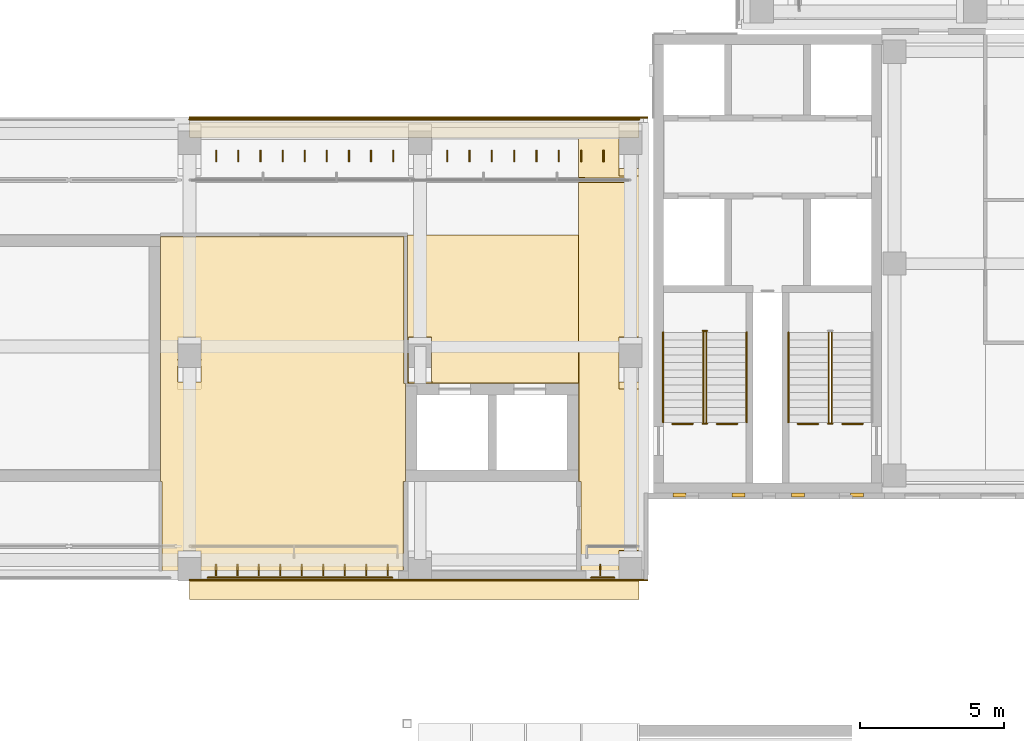
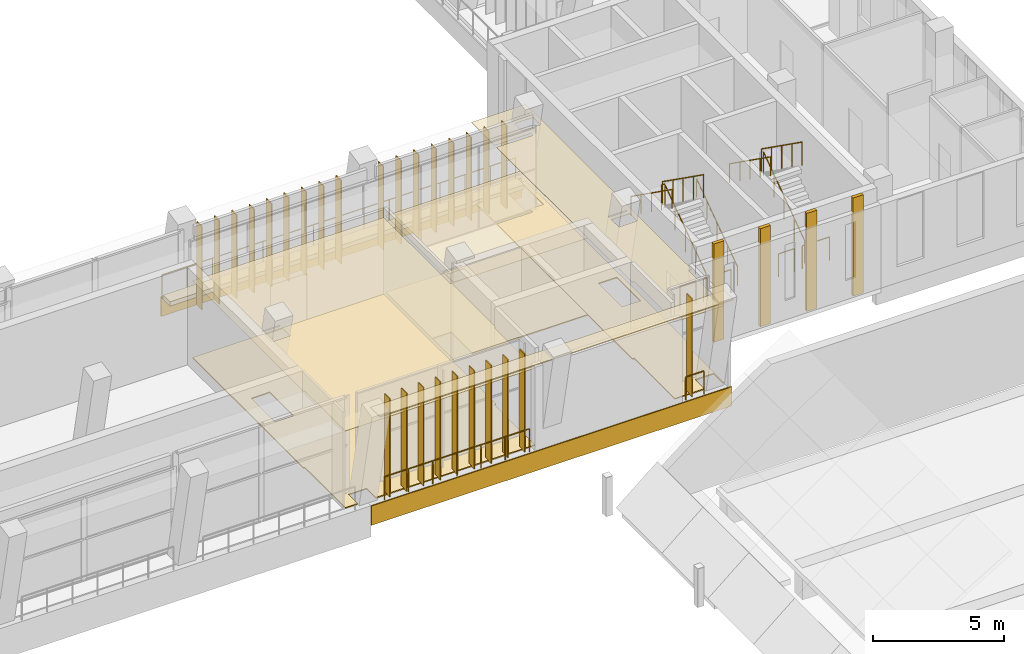
# One storey, part 73 of 89: 27 shading devices, 17 railings, 14 coverings.
"""IFC4 building model written with IfcOpenShell, lengths in metres."""

from ifc_helpers import new_model, si_unit, direction, frame, frame_2d, origin, origin_2d, place, context, subcontext, project, spatial, polyline, rectangle, circle, outline, extrude, material, layer, layer_set, type_object, element, save


model = new_model("IFC4")

# Units and contexts
model_context = context("Model", 3, precision=1e-05, world=origin(), true_north=direction((0.0, 1.0)))
body_context = subcontext(model_context, "Body", "Model", "MODEL_VIEW")
ifc_project = project(units=[si_unit("LENGTHUNIT", "METRE"), si_unit("AREAUNIT", "SQUARE_METRE"), si_unit("VOLUMEUNIT", "CUBIC_METRE"), si_unit("PLANEANGLEUNIT", "RADIAN"), si_unit("MASSUNIT", "GRAM", prefix="KILO")], contexts=[model_context])

# Site, building, storey
site_placement = place(None, origin())
site = spatial("IfcSite", under=ifc_project, at=site_placement, CompositionType="ELEMENT")
building_placement = place(site_placement, origin())
building = spatial("IfcBuilding", under=site, at=building_placement, Name="Lantern Court Media Centre", CompositionType="ELEMENT")
storey_placement = place(building_placement, frame((0.0, 0.0, 14.39990234375)))
storey = spatial("IfcBuildingStorey", under=building, at=storey_placement, Name="L03", CompositionType="ELEMENT", Elevation=14.39990234375)

# Covering
ifc_material_1 = material(Name="Carpet")
ifc_layer_1 = layer(ifc_material_1, 0.050048828125)
ifc_layer_set_1 = layer_set([ifc_layer_1], Name="Carpet")
covering_type_1 = type_object("IfcCoveringType", Name="Carpet floor finish", PredefinedType="FLOORING", material=ifc_layer_set_1)
covering_1_placement = place(storey_placement, origin())
element("IfcCovering", 1, at=covering_1_placement, inside=storey, type_object=covering_type_1, Name="Media Library Reading Room 04 floor finish", PredefinedType="FLOORING", context=body_context, shape_type="SweptSolid", body=[
    extrude(outline(polyline([(63.054931640625, 45.300048828125), (63.054931640625, 48.39990234375), (63.0048828125, 48.405029296875), (63.0048828125, 56.882568359375), (71.4326171875, 56.882568359375), (71.4326171875, 51.800048828125), (71.4951171875, 51.794921875), (71.4951171875, 48.405029296875), (71.4150390625, 48.39990234375), (71.4150390625, 45.304931640625), (64.405029296875, 45.300048828125), (64.403076171875, 46.00390625), (63.60009765625, 46.0048828125), (63.594970703125, 45.300048828125), (63.054931640625, 45.300048828125)]), holes=[polyline([(63.594970703125, 51.60009765625), (64.404541015625, 51.59814453125), (64.40185546875, 53.404541015625), (63.595458984375, 53.40185546875), (63.594970703125, 51.60009765625)])]), origin(), (0.0, 0.0, 1.0), 0.050048828125),
])

# Railings
ifc_material_2 = material(Name="Powder-coated steel", Category="steel")
railing_type_1 = type_object("IfcRailingType", Name="Floor edge guard 1100", PredefinedType="GUARDRAIL", material=ifc_material_2)
railing_1_placement = place(storey_placement, frame((87.35009765625, 50.390380859375, 0.0)))
element("IfcRailing", 2, at=railing_1_placement, inside=storey, type_object=railing_type_1, Name="L03 opening guard 87", PredefinedType="GUARDRAIL", context=body_context, shape_type="SweptSolid", body=[
    extrude(circle(Radius=0.02392578125, at=origin_2d()), frame((0.0, 0.0, 1.076171875), z_axis=(-1.0, 0.0, 0.0), x_axis=(0.0, -1.0, 0.0)), (0.0, 0.0, 1.0), 0.703857421875),
    extrude(circle(Radius=0.02099609375, at=origin_2d()), origin(), (0.0, 0.0, 1.0), 1.052001953125),
    extrude(circle(Radius=0.02099609375, at=origin_2d()), frame((-0.703857421875, 0.0, 0.0)), (0.0, 0.0, 1.0), 1.052001953125),
])
for number, where, name in (
    (3, (85.8037109375, 50.390380859375, 0.0), "L03 opening guard 88"),
    (4, (83.0, 50.390380859375, 0.0), "L03 opening guard 89"),
    (5, (81.45361328125, 50.390380859375, 0.0), "L03 opening guard 90"),
):
    element("IfcRailing", number, at=place(storey_placement, frame(where)), inside=storey, type_object=railing_type_1, Name=name, PredefinedType="GUARDRAIL", context=body_context, shape_type="SweptSolid", body=[
        extrude(circle(Radius=0.02392578125, at=origin_2d()), frame((0.0, 0.0, 1.076171875), z_axis=(-1.0, 0.0, 0.0), x_axis=(0.0, -1.0, 0.0)), (0.0, 0.0, 1.0), 0.70361328125),
        extrude(circle(Radius=0.02099609375, at=origin_2d()), origin(), (0.0, 0.0, 1.0), 1.052001953125),
        extrude(circle(Radius=0.02099609375, at=origin_2d()), frame((-0.70361328125, 0.0, 0.0)), (0.0, 0.0, 1.0), 1.052001953125),
    ])
railing_2_placement = place(storey_placement, frame((71.033935546875, 45.06005859375, 0.0)))
element("IfcRailing", 6, at=railing_2_placement, inside=storey, type_object=railing_type_1, Name="L03 edge guard 94", PredefinedType="GUARDRAIL", context=body_context, shape_type="SweptSolid", body=[
    extrude(circle(Radius=0.02392578125, at=origin_2d()), frame((0.0, 0.0, 1.076171875), z_axis=(-1.0, 0.0, 0.0), x_axis=(0.0, -1.0, 0.0)), (0.0, 0.0, 1.0), 6.39697265625),
    extrude(circle(Radius=0.02099609375, at=origin_2d()), origin(), (0.0, 0.0, 1.0), 1.052001953125),
    extrude(circle(Radius=0.02099609375, at=origin_2d()), frame((-1.066162109375, 0.0, 0.0)), (0.0, 0.0, 1.0), 1.052001953125),
    extrude(circle(Radius=0.02099609375, at=origin_2d()), frame((-2.13232421875, 0.0, 0.0)), (0.0, 0.0, 1.0), 1.052001953125),
    extrude(circle(Radius=0.02099609375, at=origin_2d()), frame((-3.198486328125, 0.0, 0.0)), (0.0, 0.0, 1.0), 1.052001953125),
    extrude(circle(Radius=0.02099609375, at=origin_2d()), frame((-4.2646484375, 0.0, 0.0)), (0.0, 0.0, 1.0), 1.052001953125),
    extrude(circle(Radius=0.02099609375, at=origin_2d()), frame((-5.330810546875, 0.0, 0.0)), (0.0, 0.0, 1.0), 1.052001953125),
    extrude(circle(Radius=0.02099609375, at=origin_2d()), frame((-6.39697265625, 0.0, 0.0)), (0.0, 0.0, 1.0), 1.052001953125),
])
railing_3_placement = place(storey_placement, frame((78.72900390625, 45.06005859375, 0.0)))
element("IfcRailing", 7, at=railing_3_placement, inside=storey, type_object=railing_type_1, Name="L03 edge guard 97", PredefinedType="GUARDRAIL", context=body_context, shape_type="SweptSolid", body=[
    extrude(circle(Radius=0.02392578125, at=origin_2d()), frame((0.0, 0.0, 1.076171875), z_axis=(-1.0, 0.0, 0.0), x_axis=(0.0, -1.0, 0.0)), (0.0, 0.0, 1.0), 0.799072265625),
    extrude(circle(Radius=0.02099609375, at=origin_2d()), origin(), (0.0, 0.0, 1.0), 1.052001953125),
    extrude(circle(Radius=0.02099609375, at=origin_2d()), frame((-0.799072265625, 0.0, 0.0)), (0.0, 0.0, 1.0), 1.052001953125),
])

# Coverings
ifc_material_3 = material(Name="White glass-fibre reinforced cement cladding", Category="concrete")
ifc_layer_2 = layer(ifc_material_3, 0.050048828125)
ifc_layer_set_2 = layer_set([ifc_layer_2], Name="White glass-fibre reinforced cement cladding")
covering_type_2 = type_object("IfcCoveringType", Name="Floor-edge band 50", PredefinedType="CLADDING", material=ifc_layer_set_2)
for number, where, z_axis, x_axis, name in (
    (8, (64.0, 44.97509765625, -0.89990234375), (0.0, 0.0, 1.0), (1.0, 0.0, 0.0), "Floor-edge band S outer L03"),
    (9, (64.0, 61.02490234375, -0.89990234375), (0.0, 0.0, 1.0), (1.0, 0.0, 0.0), "Floor-edge band S inner L03"),
):
    element("IfcCovering", number, at=place(storey_placement, frame(where, z_axis=z_axis, x_axis=x_axis)), inside=storey, type_object=covering_type_2, Name=name, PredefinedType="CLADDING", context=body_context, shape_type="SweptSolid", body=[
        extrude(rectangle(XDim=15.89990234375, YDim=0.050048828125, at=frame_2d((7.949951171875, 0.0))), origin(), (0.0, 0.0, 1.0), 0.89990234375),
    ])

# Railing
ifc_material_4 = material(Name="Painted mild steel balustrade", Category="steel")
railing_type_2 = type_object("IfcRailingType", Name="Guard 1100 steel balustrade", PredefinedType="GUARDRAIL", material=ifc_material_4)
railing_4_placement = place(storey_placement, frame((64.0, 60.949951171875, 0.0)))
element("IfcRailing", 10, at=railing_4_placement, inside=storey, type_object=railing_type_2, Name="Ledge guard S L03", PredefinedType="GUARDRAIL", context=body_context, shape_type="SweptSolid", body=[
    extrude(circle(Radius=0.02392578125, at=origin_2d()), frame((0.0, 0.0, 1.076171875), z_axis=(1.0, 0.0, 0.0), x_axis=(0.0, 1.0, 0.0)), (0.0, 0.0, 1.0), 15.60009765625),
    extrude(circle(Radius=0.02099609375, at=origin_2d()), origin(), (0.0, 0.0, 1.0), 1.052001953125),
    extrude(circle(Radius=0.02099609375, at=origin_2d()), frame((1.1142578125, 0.0, 0.0)), (0.0, 0.0, 1.0), 1.052001953125),
    extrude(circle(Radius=0.02099609375, at=origin_2d()), frame((2.228515625, 0.0, 0.0)), (0.0, 0.0, 1.0), 1.052001953125),
    extrude(circle(Radius=0.02099609375, at=origin_2d()), frame((3.3427734375, 0.0, 0.0)), (0.0, 0.0, 1.0), 1.052001953125),
    extrude(circle(Radius=0.02099609375, at=origin_2d()), frame((4.457275390625, 0.0, 0.0)), (0.0, 0.0, 1.0), 1.052001953125),
    extrude(circle(Radius=0.02099609375, at=origin_2d()), frame((5.571533203125, 0.0, 0.0)), (0.0, 0.0, 1.0), 1.052001953125),
    extrude(circle(Radius=0.02099609375, at=origin_2d()), frame((6.685791015625, 0.0, 0.0)), (0.0, 0.0, 1.0), 1.052001953125),
    extrude(circle(Radius=0.02099609375, at=origin_2d()), frame((7.800048828125, 0.0, 0.0)), (0.0, 0.0, 1.0), 1.052001953125),
    extrude(circle(Radius=0.02099609375, at=origin_2d()), frame((8.914306640625, 0.0, 0.0)), (0.0, 0.0, 1.0), 1.052001953125),
    extrude(circle(Radius=0.02099609375, at=origin_2d()), frame((10.028564453125, 0.0, 0.0)), (0.0, 0.0, 1.0), 1.052001953125),
    extrude(circle(Radius=0.02099609375, at=origin_2d()), frame((11.142822265625, 0.0, 0.0)), (0.0, 0.0, 1.0), 1.052001953125),
    extrude(circle(Radius=0.02099609375, at=origin_2d()), frame((12.25732421875, 0.0, 0.0)), (0.0, 0.0, 1.0), 1.052001953125),
    extrude(circle(Radius=0.02099609375, at=origin_2d()), frame((13.37158203125, 0.0, 0.0)), (0.0, 0.0, 1.0), 1.052001953125),
    extrude(circle(Radius=0.02099609375, at=origin_2d()), frame((14.48583984375, 0.0, 0.0)), (0.0, 0.0, 1.0), 1.052001953125),
    extrude(circle(Radius=0.02099609375, at=origin_2d()), frame((15.60009765625, 0.0, 0.0)), (0.0, 0.0, 1.0), 1.052001953125),
])

# Coverings
ifc_material_5 = material(Name="Honed limestone cladding", Category="masonry")
ifc_layer_3 = layer(ifc_material_5, 0.14990234375)
ifc_layer_set_3 = layer_set([ifc_layer_3], Name="Honed limestone cladding")
covering_type_3 = type_object("IfcCoveringType", Name="Limestone pilaster cladding 150", PredefinedType="CLADDING", material=ifc_layer_set_3)
covering_2_placement = place(storey_placement, frame((80.77490234375, 47.925048828125, 0.0), z_axis=(0.0, 0.0, 1.0), x_axis=(1.0, 0.0, 0.0)))
element("IfcCovering", 11, at=covering_2_placement, inside=storey, type_object=covering_type_3, Name="Limestone pilaster rib", PredefinedType="CLADDING", context=body_context, shape_type="SweptSolid", body=[
    extrude(rectangle(XDim=0.4501953125, YDim=0.14990234375, at=frame_2d((0.22509765625, 0.0))), origin(), (0.0, 0.0, 1.0), 4.580078125),
])
for number, where, z_axis, x_axis, name in (
    (12, (82.824951171875, 47.925048828125, 0.0), (0.0, 0.0, 1.0), (1.0, 0.0, 0.0), "Limestone pilaster rib"),
    (13, (84.875, 47.925048828125, 0.0), (0.0, 0.0, 1.0), (1.0, 0.0, 0.0), "Limestone pilaster rib"),
    (14, (86.925048828125, 47.925048828125, 0.0), (0.0, 0.0, 1.0), (1.0, 0.0, 0.0), "Limestone pilaster rib"),
):
    element("IfcCovering", number, at=place(storey_placement, frame(where, z_axis=z_axis, x_axis=x_axis)), inside=storey, type_object=covering_type_3, Name=name, PredefinedType="CLADDING", context=body_context, shape_type="SweptSolid", body=[
        extrude(rectangle(XDim=0.449951171875, YDim=0.14990234375, at=frame_2d((0.22509765625, 0.0))), origin(), (0.0, 0.0, 1.0), 4.580078125),
    ])
ifc_material_6 = material(Name="Planting substrate")
ifc_layer_4 = layer(ifc_material_6, 0.199951171875)
ifc_layer_set_4 = layer_set([ifc_layer_4], Name="Planting substrate")
covering_type_4 = type_object("IfcCoveringType", Name="Planted ledge build-up 200", PredefinedType="ROOFING", material=ifc_layer_set_4)
covering_3_placement = place(storey_placement, origin())
element("IfcCovering", 15, at=covering_3_placement, inside=storey, type_object=covering_type_4, Name="Planted ledge S L03", PredefinedType="ROOFING", context=body_context, shape_type="SweptSolid", body=[
    extrude(outline(polyline([(64.0, 60.85009765625), (79.60009765625, 60.85009765625), (79.60009765625, 60.320068359375), (64.0, 60.320068359375), (64.0, 60.85009765625)])), origin(), (0.0, 0.0, 1.0), 0.2001953125),
])
ifc_material_7 = material(Name="White fibre cement soffit board")
ifc_layer_5 = layer(ifc_material_7, 0.0400390625)
ifc_layer_set_5 = layer_set([ifc_layer_5], Name="White fibre cement soffit board")
covering_type_5 = type_object("IfcCoveringType", Name="Soffit lining 40", PredefinedType="CLADDING", material=ifc_layer_set_5)
covering_4_placement = place(storey_placement, frame((64.0, 44.64990234375, 4.5400390625), z_axis=(0.0, 0.0, 1.0), x_axis=(1.0, 0.0, 0.0)))
element("IfcCovering", 16, at=covering_4_placement, inside=storey, type_object=covering_type_5, Name="Soffit lining S L03", PredefinedType="CLADDING", context=body_context, shape_type="SweptSolid", body=[
    extrude(rectangle(XDim=15.60009765625, YDim=0.699951171875, at=frame_2d((7.800048828125, 0.0))), origin(), (0.0, 0.0, 1.0), 0.0400390625),
])

# Railings
railing_type_3 = type_object("IfcRailingType", Name="Stair guard 1100", PredefinedType="GUARDRAIL", material=ifc_material_2)
railing_5_placement = place(storey_placement, frame((86.27587890625, 50.449951171875, 0.184814453125)))
element("IfcRailing", 17, at=railing_5_placement, inside=storey, type_object=railing_type_3, Name="L03 ST-SEA stair guard 1", PredefinedType="GUARDRAIL", context=body_context, shape_type="SweptSolid", body=[
    extrude(circle(Radius=0.02392578125, at=origin_2d()), frame((0.0, 0.0, 1.076171875), z_axis=(0.0, 0.815376961211, 0.578930402662), x_axis=(-1.0, 0.0, 0.0)), (0.0, 0.0, 1.0), 3.82666015625),
    extrude(circle(Radius=0.02099609375, at=origin_2d()), origin(), (0.0, 0.0, 1.0), 1.052001953125),
    extrude(circle(Radius=0.02099609375, at=origin_2d()), frame((0.0, 0.780029296875, 0.5537109375)), (0.0, 0.0, 1.0), 1.052001953125),
    extrude(circle(Radius=0.02099609375, at=origin_2d()), frame((0.0, 1.56005859375, 1.107666015625)), (0.0, 0.0, 1.0), 1.052001953125),
    extrude(circle(Radius=0.02099609375, at=origin_2d()), frame((0.0, 2.340087890625, 1.66162109375)), (0.0, 0.0, 1.0), 1.052001953125),
    extrude(circle(Radius=0.02099609375, at=origin_2d()), frame((0.0, 3.1201171875, 2.21533203125)), (0.0, 0.0, 1.0), 1.052001953125),
])
railing_6_placement = place(storey_placement, frame((86.174072265625, 53.570068359375, 2.584716796875)))
element("IfcRailing", 18, at=railing_6_placement, inside=storey, type_object=railing_type_3, Name="L03 ST-SEA stair guard 3", PredefinedType="GUARDRAIL", context=body_context, shape_type="SweptSolid", body=[
    extrude(circle(Radius=0.02392578125, at=origin_2d()), frame((0.0, 0.0, 1.076171875), z_axis=(0.0, -0.815376961211, 0.578930402662), x_axis=(1.0, 0.0, 0.0)), (0.0, 0.0, 1.0), 3.82666015625),
    extrude(circle(Radius=0.02099609375, at=origin_2d()), origin(), (0.0, 0.0, 1.0), 1.052001953125),
    extrude(circle(Radius=0.02099609375, at=origin_2d()), frame((0.0, -0.780029296875, 0.5537109375)), (0.0, 0.0, 1.0), 1.052001953125),
    extrude(circle(Radius=0.02099609375, at=origin_2d()), frame((0.0, -1.56005859375, 1.107666015625)), (0.0, 0.0, 1.0), 1.052001953125),
    extrude(circle(Radius=0.02099609375, at=origin_2d()), frame((0.0, -2.340087890625, 1.66162109375)), (0.0, 0.0, 1.0), 1.052001953125),
    extrude(circle(Radius=0.02099609375, at=origin_2d()), frame((0.0, -3.1201171875, 2.21533203125)), (0.0, 0.0, 1.0), 1.052001953125),
])
railing_7_placement = place(storey_placement, frame((86.300048828125, 50.39990234375, 0.0)))
element("IfcRailing", 19, at=railing_7_placement, inside=storey, type_object=railing_type_3, Name="L03 ST-SEA stair guard 4", PredefinedType="GUARDRAIL", context=body_context, shape_type="SweptSolid", body=[
    extrude(circle(Radius=0.02392578125, at=origin_2d()), frame((0.0, 0.0, 1.076171875), z_axis=(-1.0, 0.0, 0.0), x_axis=(0.0, -1.0, 0.0)), (0.0, 0.0, 1.0), 0.150146484375),
    extrude(circle(Radius=0.02099609375, at=origin_2d()), origin(), (0.0, 0.0, 1.0), 1.052001953125),
    extrude(circle(Radius=0.02099609375, at=origin_2d()), frame((-0.150146484375, 0.0, 0.0)), (0.0, 0.0, 1.0), 1.052001953125),
])
railing_8_placement = place(storey_placement, frame((81.926025390625, 50.449951171875, 0.184814453125)))
element("IfcRailing", 20, at=railing_8_placement, inside=storey, type_object=railing_type_3, Name="L03 ST-SEB stair guard 1", PredefinedType="GUARDRAIL", context=body_context, shape_type="SweptSolid", body=[
    extrude(circle(Radius=0.02392578125, at=origin_2d()), frame((0.0, 0.0, 1.076171875), z_axis=(0.0, 0.815376961211, 0.578930402662), x_axis=(-1.0, 0.0, 0.0)), (0.0, 0.0, 1.0), 3.82666015625),
    extrude(circle(Radius=0.02099609375, at=origin_2d()), origin(), (0.0, 0.0, 1.0), 1.052001953125),
    extrude(circle(Radius=0.02099609375, at=origin_2d()), frame((0.0, 0.780029296875, 0.5537109375)), (0.0, 0.0, 1.0), 1.052001953125),
    extrude(circle(Radius=0.02099609375, at=origin_2d()), frame((0.0, 1.56005859375, 1.107666015625)), (0.0, 0.0, 1.0), 1.052001953125),
    extrude(circle(Radius=0.02099609375, at=origin_2d()), frame((0.0, 2.340087890625, 1.66162109375)), (0.0, 0.0, 1.0), 1.052001953125),
    extrude(circle(Radius=0.02099609375, at=origin_2d()), frame((0.0, 3.1201171875, 2.21533203125)), (0.0, 0.0, 1.0), 1.052001953125),
])
railing_9_placement = place(storey_placement, frame((81.949951171875, 53.6201171875, 2.400146484375)))
element("IfcRailing", 21, at=railing_9_placement, inside=storey, type_object=railing_type_3, Name="L03 ST-SEB stair guard 2", PredefinedType="GUARDRAIL", context=body_context, shape_type="SweptSolid", body=[
    extrude(circle(Radius=0.02392578125, at=origin_2d()), frame((0.0, 0.0, 1.076171875), z_axis=(-1.0, 0.0, 0.0), x_axis=(0.0, -1.0, 0.0)), (0.0, 0.0, 1.0), 0.14990234375),
    extrude(circle(Radius=0.02099609375, at=origin_2d()), origin(), (0.0, 0.0, 1.0), 1.052001953125),
    extrude(circle(Radius=0.02099609375, at=origin_2d()), frame((-0.14990234375, 0.0, 0.0)), (0.0, 0.0, 1.0), 1.052001953125),
])
railing_10_placement = place(storey_placement, frame((81.823974609375, 53.570068359375, 2.584716796875)))
element("IfcRailing", 22, at=railing_10_placement, inside=storey, type_object=railing_type_3, Name="L03 ST-SEB stair guard 3", PredefinedType="GUARDRAIL", context=body_context, shape_type="SweptSolid", body=[
    extrude(circle(Radius=0.02392578125, at=origin_2d()), frame((0.0, 0.0, 1.076171875), z_axis=(0.0, -0.815376961211, 0.578930402662), x_axis=(1.0, 0.0, 0.0)), (0.0, 0.0, 1.0), 3.82666015625),
    extrude(circle(Radius=0.02099609375, at=origin_2d()), origin(), (0.0, 0.0, 1.0), 1.052001953125),
    extrude(circle(Radius=0.02099609375, at=origin_2d()), frame((0.0, -0.780029296875, 0.5537109375)), (0.0, 0.0, 1.0), 1.052001953125),
    extrude(circle(Radius=0.02099609375, at=origin_2d()), frame((0.0, -1.56005859375, 1.107666015625)), (0.0, 0.0, 1.0), 1.052001953125),
    extrude(circle(Radius=0.02099609375, at=origin_2d()), frame((0.0, -2.340087890625, 1.66162109375)), (0.0, 0.0, 1.0), 1.052001953125),
    extrude(circle(Radius=0.02099609375, at=origin_2d()), frame((0.0, -3.1201171875, 2.21533203125)), (0.0, 0.0, 1.0), 1.052001953125),
])
railing_11_placement = place(storey_placement, frame((81.949951171875, 50.39990234375, 0.0)))
element("IfcRailing", 23, at=railing_11_placement, inside=storey, type_object=railing_type_3, Name="L03 ST-SEB stair guard 4", PredefinedType="GUARDRAIL", context=body_context, shape_type="SweptSolid", body=[
    extrude(circle(Radius=0.02392578125, at=origin_2d()), frame((0.0, 0.0, 1.076171875), z_axis=(-1.0, 0.0, 0.0), x_axis=(0.0, -1.0, 0.0)), (0.0, 0.0, 1.0), 0.14990234375),
    extrude(circle(Radius=0.02099609375, at=origin_2d()), origin(), (0.0, 0.0, 1.0), 1.052001953125),
    extrude(circle(Radius=0.02099609375, at=origin_2d()), frame((-0.14990234375, 0.0, 0.0)), (0.0, 0.0, 1.0), 1.052001953125),
])
railing_type_4 = type_object("IfcRailingType", Name="Stair handrail 900", PredefinedType="HANDRAIL", material=ifc_material_2)
railing_12_placement = place(storey_placement, frame((84.77587890625, 53.570068359375, 2.584716796875)))
element("IfcRailing", 24, at=railing_12_placement, inside=storey, type_object=railing_type_4, Name="L03 ST-SEA stair handrail 2", PredefinedType="HANDRAIL", context=body_context, shape_type="SweptSolid", body=[
    extrude(circle(Radius=0.02392578125, at=origin_2d()), frame((0.0, 0.0, 0.8759765625), z_axis=(0.0, -0.815376961211, 0.578930402662), x_axis=(1.0, 0.0, 0.0)), (0.0, 0.0, 1.0), 3.82666015625),
    extrude(circle(Radius=0.02099609375, at=origin_2d()), origin(), (0.0, 0.0, 1.0), 0.851806640625),
    extrude(circle(Radius=0.02099609375, at=origin_2d()), frame((0.0, -0.780029296875, 0.5537109375)), (0.0, 0.0, 1.0), 0.851806640625),
    extrude(circle(Radius=0.02099609375, at=origin_2d()), frame((0.0, -1.56005859375, 1.107666015625)), (0.0, 0.0, 1.0), 0.851806640625),
    extrude(circle(Radius=0.02099609375, at=origin_2d()), frame((0.0, -2.340087890625, 1.66162109375)), (0.0, 0.0, 1.0), 0.851806640625),
    extrude(circle(Radius=0.02099609375, at=origin_2d()), frame((0.0, -3.1201171875, 2.21533203125)), (0.0, 0.0, 1.0), 0.851806640625),
])
railing_13_placement = place(storey_placement, frame((83.323974609375, 50.449951171875, 0.184814453125)))
element("IfcRailing", 25, at=railing_13_placement, inside=storey, type_object=railing_type_4, Name="L03 ST-SEB stair handrail 1", PredefinedType="HANDRAIL", context=body_context, shape_type="SweptSolid", body=[
    extrude(circle(Radius=0.02392578125, at=origin_2d()), frame((0.0, 0.0, 0.8759765625), z_axis=(0.0, 0.815376961211, 0.578930402662), x_axis=(-1.0, 0.0, 0.0)), (0.0, 0.0, 1.0), 3.82666015625),
    extrude(circle(Radius=0.02099609375, at=origin_2d()), origin(), (0.0, 0.0, 1.0), 0.851806640625),
    extrude(circle(Radius=0.02099609375, at=origin_2d()), frame((0.0, 0.780029296875, 0.5537109375)), (0.0, 0.0, 1.0), 0.851806640625),
    extrude(circle(Radius=0.02099609375, at=origin_2d()), frame((0.0, 1.56005859375, 1.107666015625)), (0.0, 0.0, 1.0), 0.851806640625),
    extrude(circle(Radius=0.02099609375, at=origin_2d()), frame((0.0, 2.340087890625, 1.66162109375)), (0.0, 0.0, 1.0), 0.851806640625),
    extrude(circle(Radius=0.02099609375, at=origin_2d()), frame((0.0, 3.1201171875, 2.21533203125)), (0.0, 0.0, 1.0), 0.851806640625),
])
railing_14_placement = place(storey_placement, frame((80.426025390625, 53.570068359375, 2.584716796875)))
element("IfcRailing", 26, at=railing_14_placement, inside=storey, type_object=railing_type_4, Name="L03 ST-SEB stair handrail 2", PredefinedType="HANDRAIL", context=body_context, shape_type="SweptSolid", body=[
    extrude(circle(Radius=0.02392578125, at=origin_2d()), frame((0.0, 0.0, 0.8759765625), z_axis=(0.0, -0.815376961211, 0.578930402662), x_axis=(1.0, 0.0, 0.0)), (0.0, 0.0, 1.0), 3.82666015625),
    extrude(circle(Radius=0.02099609375, at=origin_2d()), origin(), (0.0, 0.0, 1.0), 0.851806640625),
    extrude(circle(Radius=0.02099609375, at=origin_2d()), frame((0.0, -0.780029296875, 0.5537109375)), (0.0, 0.0, 1.0), 0.851806640625),
    extrude(circle(Radius=0.02099609375, at=origin_2d()), frame((0.0, -1.56005859375, 1.107666015625)), (0.0, 0.0, 1.0), 0.851806640625),
    extrude(circle(Radius=0.02099609375, at=origin_2d()), frame((0.0, -2.340087890625, 1.66162109375)), (0.0, 0.0, 1.0), 0.851806640625),
    extrude(circle(Radius=0.02099609375, at=origin_2d()), frame((0.0, -3.1201171875, 2.21533203125)), (0.0, 0.0, 1.0), 0.851806640625),
])

# Coverings
ifc_material_8 = material(Name="Mineral fibre ceiling tile")
ifc_layer_6 = layer(ifc_material_8, 0.02001953125)
ifc_layer_set_6 = layer_set([ifc_layer_6], Name="Mineral fibre ceiling tile")
covering_type_6 = type_object("IfcCoveringType", Name="Suspended ceiling tile", PredefinedType="CEILING", material=ifc_layer_set_6)
covering_5_placement = place(storey_placement, frame((0.0, 0.0, 3.60009765625)))
element("IfcCovering", 27, at=covering_5_placement, inside=storey, type_object=covering_type_6, Name="End Lobby ceiling", PredefinedType="CEILING", context=body_context, shape_type="SweptSolid", body=[
    extrude(outline(polyline([(77.5, 60.699951171875), (79.89990234375, 60.699951171875), (79.89990234375, 48.00048828125), (79.759521484375, 48.0), (79.759521484375, 45.300048828125), (77.58056640625, 45.300537109375), (77.58056640625, 48.39990234375), (77.50048828125, 48.400390625), (77.5, 58.7744140625), (79.10009765625, 58.7744140625), (79.1005859375, 58.925048828125), (77.5, 58.925537109375), (77.5, 60.699951171875)]), holes=[polyline([(79.699951171875, 52.599609375), (79.699951171875, 52.6484375), (78.8994140625, 52.64794921875), (78.89990234375, 52.599609375), (79.699951171875, 52.599609375)]), polyline([(79.699951171875, 51.847412109375), (79.7001953125, 52.400390625), (78.899658203125, 52.400390625), (78.899658203125, 51.847412109375), (79.699951171875, 51.847412109375)]), polyline([(79.699951171875, 59.247314453125), (79.7001953125, 59.800537109375), (78.899658203125, 59.80029296875), (78.899658203125, 59.24755859375), (79.699951171875, 59.247314453125)]), polyline([(79.699951171875, 59.99951171875), (79.699951171875, 60.04833984375), (78.8994140625, 60.0478515625), (78.89990234375, 59.99951171875), (79.699951171875, 59.99951171875)])]), origin(), (0.0, 0.0, 1.0), 0.02001953125),
])
covering_6_placement = place(storey_placement, frame((0.0, 0.0, 3.60009765625)))
element("IfcCovering", 28, at=covering_6_placement, inside=storey, type_object=covering_type_6, Name="Lift Lobby ceiling", PredefinedType="CEILING", context=body_context, shape_type="SweptSolid", body=[
    extrude(outline(polyline([(77.5, 56.949951171875), (77.5, 51.800537109375), (71.56298828125, 51.800537109375), (71.56298828125, 56.949951171875), (77.5, 56.949951171875)]), holes=[polyline([(72.39990234375, 51.847412109375), (72.400390625, 52.400390625), (71.599609375, 52.400390625), (71.599609375, 51.847412109375), (72.39990234375, 51.847412109375)]), polyline([(72.39990234375, 52.599609375), (72.400146484375, 52.6484375), (71.599609375, 52.64794921875), (71.599853515625, 52.599609375), (72.39990234375, 52.599609375)])]), origin(), (0.0, 0.0, 1.0), 0.02001953125),
])
covering_7_placement = place(storey_placement, frame((0.0, 0.0, 3.60009765625)))
element("IfcCovering", 29, at=covering_7_placement, inside=storey, type_object=covering_type_6, Name="Media Library Reading Room 04 ceiling", PredefinedType="CEILING", context=body_context, shape_type="SweptSolid", body=[
    extrude(outline(polyline([(63.050537109375, 45.300048828125), (63.050537109375, 48.39990234375), (63.00048828125, 48.400390625), (63.00048828125, 56.886962890625), (71.43701171875, 56.886962890625), (71.43701171875, 51.800048828125), (71.49951171875, 51.799560546875), (71.49951171875, 48.400390625), (71.41943359375, 48.39990234375), (71.41943359375, 45.300537109375), (63.050537109375, 45.300048828125)]), holes=[polyline([(64.39990234375, 51.847412109375), (64.400390625, 52.400390625), (63.599609375, 52.400390625), (63.599609375, 51.847412109375), (64.39990234375, 51.847412109375)]), polyline([(64.400390625, 52.64794921875), (63.599853515625, 52.6484375), (63.599609375, 52.599853515625), (64.400146484375, 52.599609375), (64.400390625, 52.64794921875)])]), origin(), (0.0, 0.0, 1.0), 0.02001953125),
])
ifc_material_9 = material(Name="Terrazzo")
ifc_layer_7 = layer(ifc_material_9, 0.050048828125)
ifc_layer_set_7 = layer_set([ifc_layer_7], Name="Terrazzo")
covering_type_7 = type_object("IfcCoveringType", Name="Terrazzo floor finish", PredefinedType="FLOORING", material=ifc_layer_set_7)
covering_8_placement = place(storey_placement, origin())
element("IfcCovering", 30, at=covering_8_placement, inside=storey, type_object=covering_type_7, Name="End Lobby floor finish", PredefinedType="FLOORING", context=body_context, shape_type="SweptSolid", body=[
    extrude(outline(polyline([(79.89990234375, 60.699951171875), (79.89990234375, 48.0048828125), (79.755126953125, 48.00048828125), (79.7548828125, 45.300048828125), (79.705078125, 45.300048828125), (79.699951171875, 46.0048828125), (78.896728515625, 46.00390625), (78.89501953125, 45.300048828125), (77.5849609375, 45.304931640625), (77.5849609375, 48.39990234375), (77.5048828125, 48.405029296875), (77.5, 58.77001953125), (79.1005859375, 58.77001953125), (79.10498046875, 58.925048828125), (77.5, 58.929931640625), (77.5, 60.699951171875), (78.89501953125, 60.699951171875), (78.89990234375, 58.9951171875), (79.704345703125, 58.99755859375), (79.705078125, 60.699951171875), (79.89990234375, 60.699951171875)]), holes=[polyline([(79.699951171875, 51.594970703125), (79.70458984375, 53.40185546875), (78.898193359375, 53.404541015625), (78.895263671875, 51.59814453125), (79.699951171875, 51.594970703125)])]), origin(), (0.0, 0.0, 1.0), 0.050048828125),
])
covering_9_placement = place(storey_placement, origin())
element("IfcCovering", 31, at=covering_9_placement, inside=storey, type_object=covering_type_7, Name="Lift Lobby floor finish", PredefinedType="FLOORING", context=body_context, shape_type="SweptSolid", body=[
    extrude(outline(polyline([(77.5, 56.949951171875), (77.5, 51.804931640625), (72.405029296875, 51.804931640625), (72.39990234375, 53.405029296875), (71.595703125, 53.40234375), (71.594970703125, 51.804931640625), (71.5673828125, 51.804931640625), (71.5673828125, 56.949951171875), (77.5, 56.949951171875)])), origin(), (0.0, 0.0, 1.0), 0.050048828125),
])

# Shading devices
ifc_material_10 = material(Name="Bronze anodised aluminium louvre", Category="aluminium")
ifc_layer_8 = layer(ifc_material_10, 0.0400390625)
ifc_layer_set_8 = layer_set([ifc_layer_8], Name="Bronze anodised aluminium louvre")
shading_device_type_1 = type_object("IfcShadingDeviceType", Name="Vertical louvre 40x400 full storey", PredefinedType="USERDEFINED", material=ifc_layer_set_8)
for number, where, z_axis, x_axis, name in (
    (32, (64.922119140625, 45.320068359375, 0.0), (0.0, 0.0, 1.0), (1.0, 0.0, 0.0), "Vertical louvre S outer L03"),
    (33, (65.666748046875, 45.320068359375, 0.0), (0.0, 0.0, 1.0), (1.0, 0.0, 0.0), "Vertical louvre S outer L03"),
    (34, (66.4111328125, 45.320068359375, 0.0), (0.0, 0.0, 1.0), (1.0, 0.0, 0.0), "Vertical louvre S outer L03"),
    (35, (67.155517578125, 45.320068359375, 0.0), (0.0, 0.0, 1.0), (1.0, 0.0, 0.0), "Vertical louvre S outer L03"),
    (36, (67.89990234375, 45.320068359375, 0.0), (0.0, 0.0, 1.0), (1.0, 0.0, 0.0), "Vertical louvre S outer L03"),
    (37, (68.64453125, 45.320068359375, 0.0), (0.0, 0.0, 1.0), (1.0, 0.0, 0.0), "Vertical louvre S outer L03"),
    (38, (69.388916015625, 45.320068359375, 0.0), (0.0, 0.0, 1.0), (1.0, 0.0, 0.0), "Vertical louvre S outer L03"),
    (39, (70.13330078125, 45.320068359375, 0.0), (0.0, 0.0, 1.0), (1.0, 0.0, 0.0), "Vertical louvre S outer L03"),
    (40, (70.877685546875, 45.320068359375, 0.0), (0.0, 0.0, 1.0), (1.0, 0.0, 0.0), "Vertical louvre S outer L03"),
    (41, (78.25, 45.320068359375, 0.0), (0.0, 0.0, 1.0), (1.0, 0.0, 0.0), "Vertical louvre S outer L03"),
):
    element("IfcShadingDevice", number, at=place(storey_placement, frame(where, z_axis=z_axis, x_axis=x_axis)), inside=storey, type_object=shading_device_type_1, Name=name, ObjectType="VERTICAL LOUVRE", PredefinedType="USERDEFINED", context=body_context, shape_type="SweptSolid", body=[
        extrude(rectangle(XDim=0.0400390625, YDim=0.39990234375, at=origin_2d()), origin(), (0.0, 0.0, 1.0), 4.580078125),
    ])
ifc_layer_9 = layer(ifc_material_10, 0.0400390625)
ifc_layer_set_9 = layer_set([ifc_layer_9], Name="Bronze anodised aluminium louvre")
shading_device_type_2 = type_object("IfcShadingDeviceType", Name="Vertical louvre 40x400 under beam", PredefinedType="USERDEFINED", material=ifc_layer_set_9)
for number, where, z_axis, x_axis, name in (
    (42, (64.933349609375, 59.679931640625, 0.000244140625), (0.0, 0.0, 1.0), (1.0, 0.0, 0.0), "Vertical louvre S inner L03"),
    (43, (65.699951171875, 59.679931640625, 0.000244140625), (0.0, 0.0, 1.0), (1.0, 0.0, 0.0), "Vertical louvre S inner L03"),
    (44, (66.466552734375, 59.679931640625, 0.000244140625), (0.0, 0.0, 1.0), (1.0, 0.0, 0.0), "Vertical louvre S inner L03"),
    (45, (67.2333984375, 59.679931640625, 0.000244140625), (0.0, 0.0, 1.0), (1.0, 0.0, 0.0), "Vertical louvre S inner L03"),
    (46, (68.0, 59.679931640625, 0.000244140625), (0.0, 0.0, 1.0), (1.0, 0.0, 0.0), "Vertical louvre S inner L03"),
    (47, (68.7666015625, 59.679931640625, 0.000244140625), (0.0, 0.0, 1.0), (1.0, 0.0, 0.0), "Vertical louvre S inner L03"),
    (48, (69.533447265625, 59.679931640625, 0.000244140625), (0.0, 0.0, 1.0), (1.0, 0.0, 0.0), "Vertical louvre S inner L03"),
    (49, (70.300048828125, 59.679931640625, 0.000244140625), (0.0, 0.0, 1.0), (1.0, 0.0, 0.0), "Vertical louvre S inner L03"),
    (50, (71.066650390625, 59.679931640625, 0.000244140625), (0.0, 0.0, 1.0), (1.0, 0.0, 0.0), "Vertical louvre S inner L03"),
    (51, (72.9375, 59.679931640625, 0.000244140625), (0.0, 0.0, 1.0), (1.0, 0.0, 0.0), "Vertical louvre S inner L03"),
    (52, (73.71240234375, 59.679931640625, 0.000244140625), (0.0, 0.0, 1.0), (1.0, 0.0, 0.0), "Vertical louvre S inner L03"),
    (53, (74.487548828125, 59.679931640625, 0.000244140625), (0.0, 0.0, 1.0), (1.0, 0.0, 0.0), "Vertical louvre S inner L03"),
    (54, (75.262451171875, 59.679931640625, 0.000244140625), (0.0, 0.0, 1.0), (1.0, 0.0, 0.0), "Vertical louvre S inner L03"),
    (55, (76.03759765625, 59.679931640625, 0.000244140625), (0.0, 0.0, 1.0), (1.0, 0.0, 0.0), "Vertical louvre S inner L03"),
    (56, (76.8125, 59.679931640625, 0.000244140625), (0.0, 0.0, 1.0), (1.0, 0.0, 0.0), "Vertical louvre S inner L03"),
    (57, (77.58740234375, 59.679931640625, 0.000244140625), (0.0, 0.0, 1.0), (1.0, 0.0, 0.0), "Vertical louvre S inner L03"),
    (58, (78.362548828125, 59.679931640625, 0.000244140625), (0.0, 0.0, 1.0), (1.0, 0.0, 0.0), "Vertical louvre S inner L03"),
):
    element("IfcShadingDevice", number, at=place(storey_placement, frame(where, z_axis=z_axis, x_axis=x_axis)), inside=storey, type_object=shading_device_type_2, Name=name, ObjectType="VERTICAL LOUVRE", PredefinedType="USERDEFINED", context=body_context, shape_type="SweptSolid", body=[
        extrude(rectangle(XDim=0.0400390625, YDim=0.39990234375, at=origin_2d()), origin(), (0.0, 0.0, 1.0), 3.89990234375),
    ])

save(model, "model.ifc")
